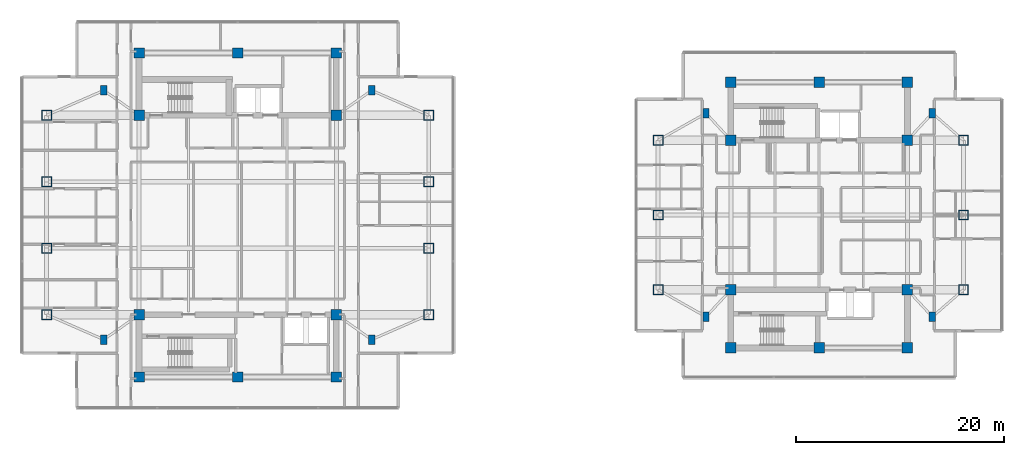
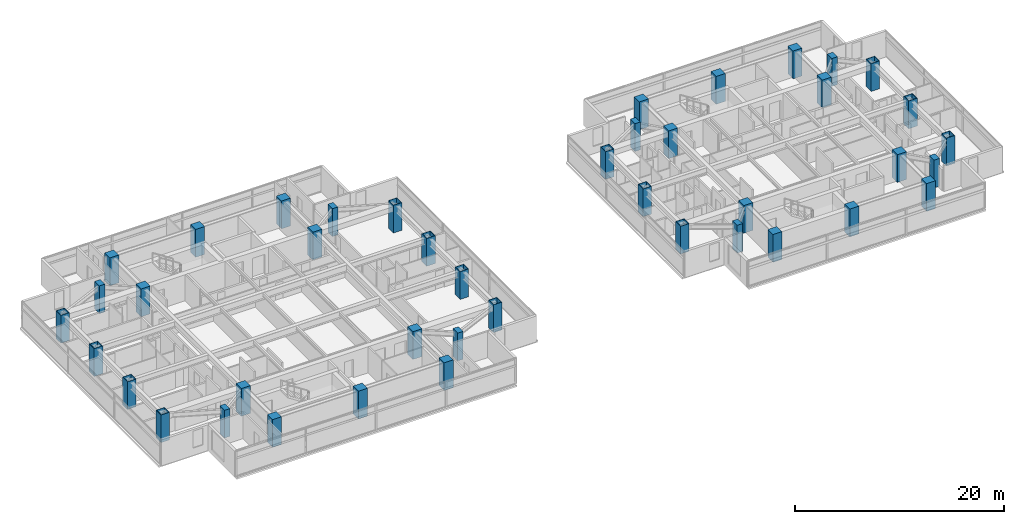
# One storey, part 1 of 24: 42 columns.
"""IFC4 building model written with IfcOpenShell, lengths in metres."""

from ifc_helpers import new_model, si_unit, direction, frame, origin, origin_2d, place, context, subcontext, project, spatial, rectangle, hollow_rectangle, extrude, material, material_profile, profile_set, type_object, element, save


model = new_model("IFC4")

# Units and contexts
model_context = context("Model", 3, precision=1e-05, world=origin(), true_north=direction((0.0, 1.0)))
body_context = subcontext(model_context, "Body", "Model", "MODEL_VIEW")
ifc_project = project(units=[si_unit("LENGTHUNIT", "METRE"), si_unit("AREAUNIT", "SQUARE_METRE"), si_unit("VOLUMEUNIT", "CUBIC_METRE"), si_unit("PLANEANGLEUNIT", "RADIAN"), si_unit("MASSUNIT", "GRAM", prefix="KILO")], contexts=[model_context])

# Site, building, storey
site_placement = place(None, origin())
site = spatial("IfcSite", under=ifc_project, at=site_placement, CompositionType="ELEMENT")
building_placement = place(site_placement, origin())
building = spatial("IfcBuilding", under=site, at=building_placement, Name="Mirazonda Arch Towers", CompositionType="ELEMENT")
storey_placement = place(building_placement, frame((0.0, 0.0, 167.39990234375)))
storey = spatial("IfcBuildingStorey", under=building, at=storey_placement, Name="L47", CompositionType="ELEMENT", Elevation=167.39990234375)

# Columns
ifc_material_1 = material(Name="Concrete C50/60", Category="concrete")
ifc_material_profile_1 = material_profile(ifc_material_1, rectangle(XDim=1.0, YDim=1.0, at=origin_2d()), Name="RC1000x1000")
ifc_profile_set_1 = profile_set([ifc_material_profile_1], Name="Concrete C50/60")
column_type_1 = type_object("IfcColumnType", Name="COL-INT-RC1000x1000", PredefinedType="COLUMN", material=ifc_profile_set_1)
for number, where, z_axis, x_axis, name in (
    (1, (11.0, 12.39990234375, 0.0), (0.0, 0.0, 1.0), (1.0, 0.0, 0.0), "L47 T1 Core Column 01"),
    (2, (20.5, 12.39990234375, 0.0), (0.0, 0.0, 1.0), (1.0, 0.0, 0.0), "L47 T1 Core Column 02"),
    (3, (30.0, 12.39990234375, 0.0), (0.0, 0.0, 1.0), (1.0, 0.0, 0.0), "L47 T1 Core Column 03"),
    (4, (11.0, 18.39990234375, 0.0), (0.0, 0.0, 1.0), (1.0, 0.0, 0.0), "L47 T1 Core Column 04"),
    (5, (30.0, 18.39990234375, 0.0), (0.0, 0.0, 1.0), (1.0, 0.0, 0.0), "L47 T1 Core Column 05"),
    (6, (11.0, 37.60009765625, 0.0), (0.0, 0.0, 1.0), (1.0, 0.0, 0.0), "L47 T1 Core Column 06"),
    (7, (30.0, 37.60009765625, 0.0), (0.0, 0.0, 1.0), (1.0, 0.0, 0.0), "L47 T1 Core Column 07"),
    (8, (11.0, 43.60009765625, 0.0), (0.0, 0.0, 1.0), (1.0, 0.0, 0.0), "L47 T1 Core Column 08"),
    (9, (20.5, 43.60009765625, 0.0), (0.0, 0.0, 1.0), (1.0, 0.0, 0.0), "L47 T1 Core Column 09"),
    (10, (30.0, 43.60009765625, 0.0), (0.0, 0.0, 1.0), (1.0, 0.0, 0.0), "L47 T1 Core Column 10"),
    (11, (68.0, 15.199951171875, 0.0), (0.0, 0.0, 1.0), (1.0, 0.0, 0.0), "L47 T2 Core Column 01"),
    (12, (76.5, 15.199951171875, 0.0), (0.0, 0.0, 1.0), (1.0, 0.0, 0.0), "L47 T2 Core Column 02"),
    (13, (85.0, 15.199951171875, 0.0), (0.0, 0.0, 1.0), (1.0, 0.0, 0.0), "L47 T2 Core Column 03"),
    (14, (68.0, 20.800048828125, 0.0), (0.0, 0.0, 1.0), (1.0, 0.0, 0.0), "L47 T2 Core Column 04"),
    (15, (85.0, 20.800048828125, 0.0), (0.0, 0.0, 1.0), (1.0, 0.0, 0.0), "L47 T2 Core Column 05"),
    (16, (68.0, 35.199951171875, 0.0), (0.0, 0.0, 1.0), (1.0, 0.0, 0.0), "L47 T2 Core Column 06"),
    (17, (85.0, 35.199951171875, 0.0), (0.0, 0.0, 1.0), (1.0, 0.0, 0.0), "L47 T2 Core Column 07"),
    (18, (68.0, 40.800048828125, 0.0), (0.0, 0.0, 1.0), (1.0, 0.0, 0.0), "L47 T2 Core Column 08"),
    (19, (76.5, 40.800048828125, 0.0), (0.0, 0.0, 1.0), (1.0, 0.0, 0.0), "L47 T2 Core Column 09"),
    (20, (85.0, 40.800048828125, 0.0), (0.0, 0.0, 1.0), (1.0, 0.0, 0.0), "L47 T2 Core Column 10"),
):
    element("IfcColumn", number, at=place(storey_placement, frame(where, z_axis=z_axis, x_axis=x_axis)), inside=storey, type_object=column_type_1, Name=name, PredefinedType="COLUMN", context=body_context, shape_type="SweptSolid", body=[
        extrude(rectangle(XDim=1.0, YDim=1.0, at=origin_2d()), origin(), (0.0, 0.0, 1.0), 3.25),
    ])
ifc_material_2 = material(Name="Steel ASTM A572 Grade 50", Category="steel")
ifc_material_profile_2 = material_profile(ifc_material_2, hollow_rectangle(XDim=0.949951171875, YDim=0.949951171875, WallThickness=0.050048828125, at=origin_2d()), Name="BOX950x950x50")
ifc_profile_set_2 = profile_set([ifc_material_profile_2], Name="Steel ASTM A572 Grade 50")
column_type_2 = type_object("IfcColumnType", Name="MCOL-EXT-BOX950x950x50", PredefinedType="COLUMN", material=ifc_profile_set_2)
for number, where, z_axis, x_axis, name in (
    (21, (2.10009765625, 18.39990234375, 0.0), (0.0, 0.0, 1.0), (1.0, 0.0, 0.0), "L47 T1 Composite Mega-Column 01"),
    (22, (2.10009765625, 24.800048828125, 0.0), (0.0, 0.0, 1.0), (1.0, 0.0, 0.0), "L47 T1 Composite Mega-Column 02"),
    (23, (2.10009765625, 31.199951171875, 0.0), (0.0, 0.0, 1.0), (1.0, 0.0, 0.0), "L47 T1 Composite Mega-Column 03"),
    (24, (2.10009765625, 37.60009765625, 0.0), (0.0, 0.0, 1.0), (1.0, 0.0, 0.0), "L47 T1 Composite Mega-Column 04"),
    (25, (38.89990234375, 18.39990234375, 0.0), (0.0, 0.0, 1.0), (1.0, 0.0, 0.0), "L47 T1 Composite Mega-Column 05"),
    (26, (38.89990234375, 24.800048828125, 0.0), (0.0, 0.0, 1.0), (1.0, 0.0, 0.0), "L47 T1 Composite Mega-Column 06"),
    (27, (38.89990234375, 31.199951171875, 0.0), (0.0, 0.0, 1.0), (1.0, 0.0, 0.0), "L47 T1 Composite Mega-Column 07"),
    (28, (38.89990234375, 37.60009765625, 0.0), (0.0, 0.0, 1.0), (1.0, 0.0, 0.0), "L47 T1 Composite Mega-Column 08"),
    (29, (61.0, 20.800048828125, 0.0), (0.0, 0.0, 1.0), (1.0, 0.0, 0.0), "L47 T2 Composite Mega-Column 01"),
    (30, (61.0, 28.0, 0.0), (0.0, 0.0, 1.0), (1.0, 0.0, 0.0), "L47 T2 Composite Mega-Column 02"),
    (31, (61.0, 35.199951171875, 0.0), (0.0, 0.0, 1.0), (1.0, 0.0, 0.0), "L47 T2 Composite Mega-Column 03"),
    (32, (90.39990234375, 20.800048828125, 0.0), (0.0, 0.0, 1.0), (1.0, 0.0, 0.0), "L47 T2 Composite Mega-Column 04"),
    (33, (90.39990234375, 28.0, 0.0), (0.0, 0.0, 1.0), (1.0, 0.0, 0.0), "L47 T2 Composite Mega-Column 05"),
    (34, (90.39990234375, 35.199951171875, 0.0), (0.0, 0.0, 1.0), (1.0, 0.0, 0.0), "L47 T2 Composite Mega-Column 06"),
):
    element("IfcColumn", number, at=place(storey_placement, frame(where, z_axis=z_axis, x_axis=x_axis)), inside=storey, type_object=column_type_2, Name=name, PredefinedType="COLUMN", context=body_context, shape_type="SweptSolid", body=[
        extrude(hollow_rectangle(XDim=0.949951171875, YDim=0.949951171875, WallThickness=0.050048828125, at=origin_2d()), origin(), (0.0, 0.0, 1.0), 3.25),
    ])
ifc_material_profile_3 = material_profile(ifc_material_1, rectangle(XDim=0.60009765625, YDim=0.89990234375, at=origin_2d()), Name="RC900x600")
ifc_profile_set_3 = profile_set([ifc_material_profile_3], Name="Concrete C50/60")
column_type_3 = type_object("IfcColumnType", Name="PIL-EXT-RC900x600", PredefinedType="PILASTER", material=ifc_profile_set_3)
for number, where, z_axis, x_axis, name in (
    (35, (7.60009765625, 16.0, 0.0), (0.0, 0.0, 1.0), (1.0, 0.0, 0.0), "L47 T1 Corner Pilaster 01"),
    (36, (33.39990234375, 16.0, 0.0), (0.0, 0.0, 1.0), (1.0, 0.0, 0.0), "L47 T1 Corner Pilaster 02"),
    (37, (7.60009765625, 40.0, 0.0), (0.0, 0.0, 1.0), (1.0, 0.0, 0.0), "L47 T1 Corner Pilaster 03"),
    (38, (33.39990234375, 40.0, 0.0), (0.0, 0.0, 1.0), (1.0, 0.0, 0.0), "L47 T1 Corner Pilaster 04"),
    (39, (65.60009765625, 18.199951171875, 0.0), (0.0, 0.0, 1.0), (1.0, 0.0, 0.0), "L47 T2 Corner Pilaster 01"),
    (40, (87.39990234375, 18.199951171875, 0.0), (0.0, 0.0, 1.0), (1.0, 0.0, 0.0), "L47 T2 Corner Pilaster 02"),
    (41, (65.60009765625, 37.800048828125, 0.0), (0.0, 0.0, 1.0), (1.0, 0.0, 0.0), "L47 T2 Corner Pilaster 03"),
    (42, (87.39990234375, 37.800048828125, 0.0), (0.0, 0.0, 1.0), (1.0, 0.0, 0.0), "L47 T2 Corner Pilaster 04"),
):
    element("IfcColumn", number, at=place(storey_placement, frame(where, z_axis=z_axis, x_axis=x_axis)), inside=storey, type_object=column_type_3, Name=name, PredefinedType="PILASTER", context=body_context, shape_type="SweptSolid", body=[
        extrude(rectangle(XDim=0.60009765625, YDim=0.89990234375, at=origin_2d()), origin(), (0.0, 0.0, 1.0), 3.25),
    ])

save(model, "model.ifc")
